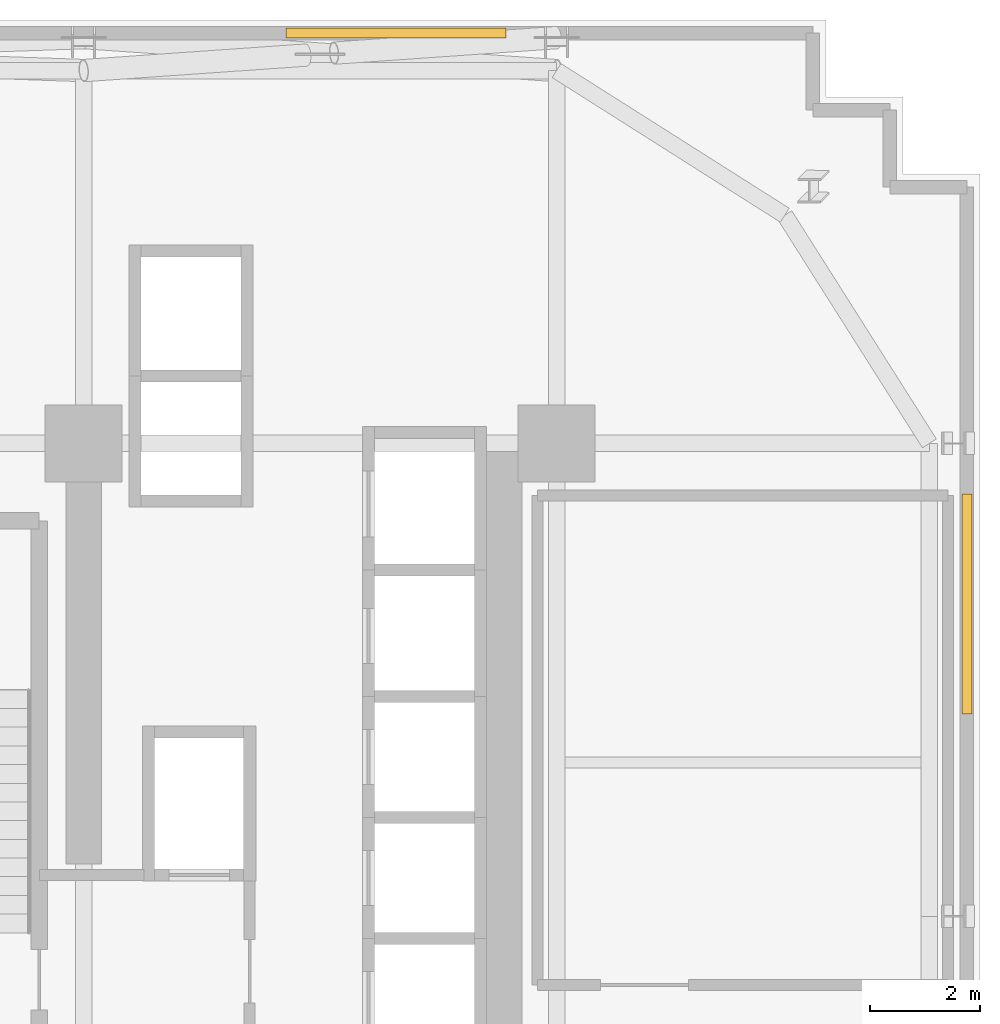
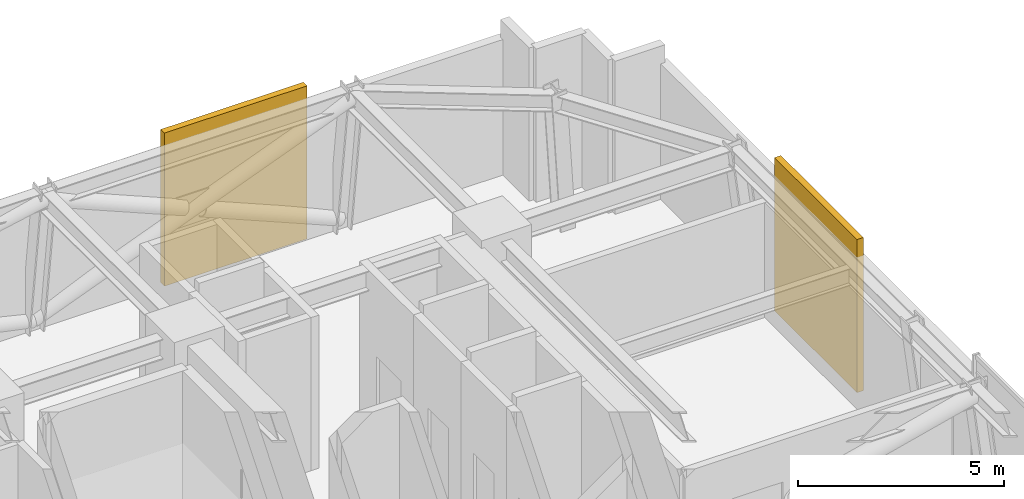
# One storey, part 17 of 17: 2 shading devices.
"""IFC4 building model written with IfcOpenShell, lengths in metres."""

from ifc_helpers import new_model, si_unit, direction, frame, origin, origin_2d, place, context, subcontext, project, spatial, rectangle, extrude, source, transform, mapped, material, layer, layer_set, type_object, element, save


model = new_model("IFC4")

# Units and contexts
model_context = context("Model", 3, precision=1e-05, world=origin(), true_north=direction((0.0, 1.0)))
body_context = subcontext(model_context, "Body", "Model", "MODEL_VIEW")
ifc_project = project(units=[si_unit("LENGTHUNIT", "METRE"), si_unit("AREAUNIT", "SQUARE_METRE"), si_unit("VOLUMEUNIT", "CUBIC_METRE"), si_unit("PLANEANGLEUNIT", "RADIAN"), si_unit("MASSUNIT", "GRAM", prefix="KILO")], contexts=[model_context])

# Site, building, storey
site_placement = place(None, origin())
site = spatial("IfcSite", under=ifc_project, at=site_placement, CompositionType="ELEMENT")
building_placement = place(site_placement, origin())
building = spatial("IfcBuilding", under=site, at=building_placement, Name="Nahalor Promenade Grand Hotel", CompositionType="ELEMENT")
storey_placement = place(building_placement, frame((0.0, 0.0, 83.5)))
storey = spatial("IfcBuildingStorey", under=building, at=storey_placement, Name="L20", CompositionType="ELEMENT", Elevation=83.5)

# Shading devices
ifc_material = material(Name="Anodised Bronze Aluminium EN AW-6063 T6", Category="aluminium")
ifc_layer = layer(ifc_material, 0.179931640625)
ifc_layer_set = layer_set([ifc_layer], Name="Anodised Bronze Aluminium EN AW-6063 T6")
shading_device_type = type_object("IfcShadingDeviceType", Name="Shade-PlantLouvre-Bronze", PredefinedType="USERDEFINED", material=ifc_layer_set)
shared_shape = source(origin(), body_context, "Body", "SweptSolid", [
    extrude(rectangle(XDim=4.0, YDim=0.179931640625, at=origin_2d()), origin(), (0.0, 0.0, 1.0), 4.530029296875),
])
for number, where, z_axis, x_axis, name in (
    (1, (14.080078125, 24.4599609375, 0.0), (0.0, 0.0, 1.0), (1.0, 0.0, 0.0), "LV-L20-NR"),
    (2, (24.4599609375, 14.080078125, 0.0), (0.0, 0.0, 1.0), (0.0, 1.0, 0.0), "LV-L20-ER"),
):
    element("IfcShadingDevice", number, at=place(storey_placement, frame(where, z_axis=z_axis, x_axis=x_axis)), inside=storey, type_object=shading_device_type, Name=name, ObjectType="LOUVRE", PredefinedType="USERDEFINED", context=body_context, shape_type="MappedRepresentation", body=[
        mapped(shared_shape, transform((0.0, 0.0, 0.0), scale=1.0)),
    ])

save(model, "model.ifc")
